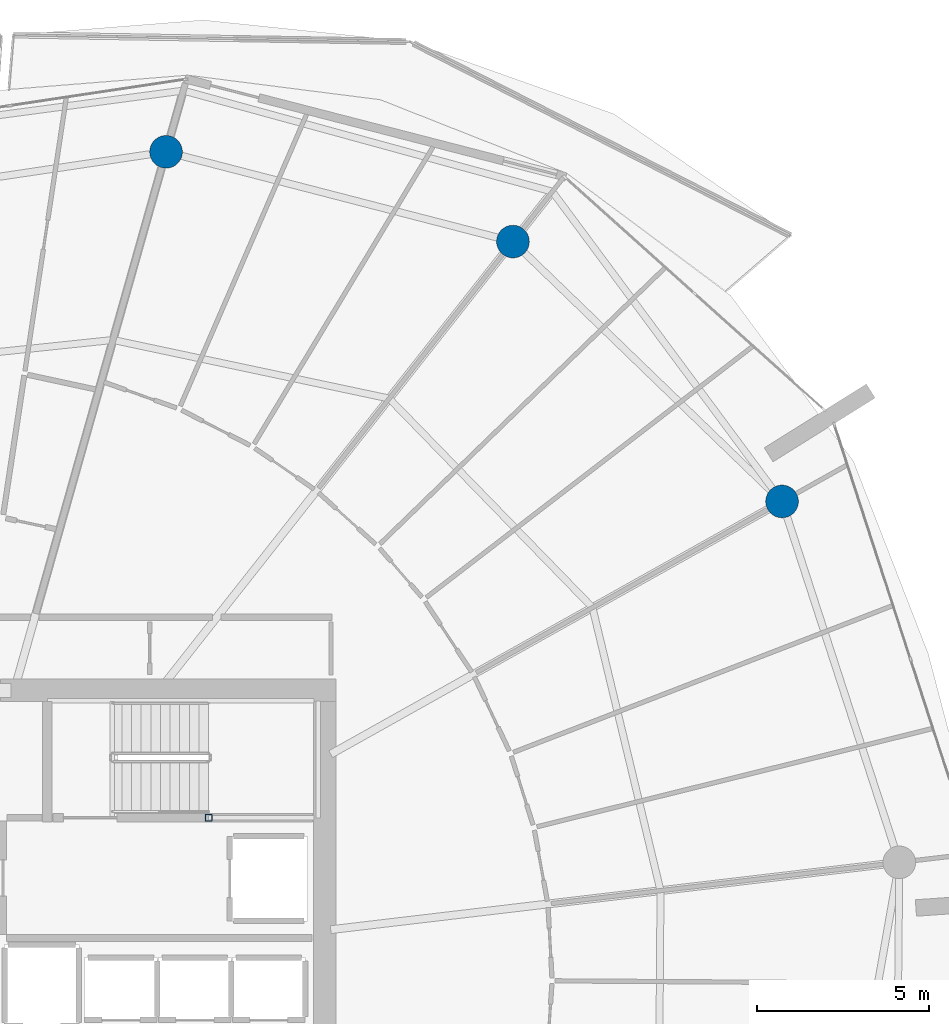
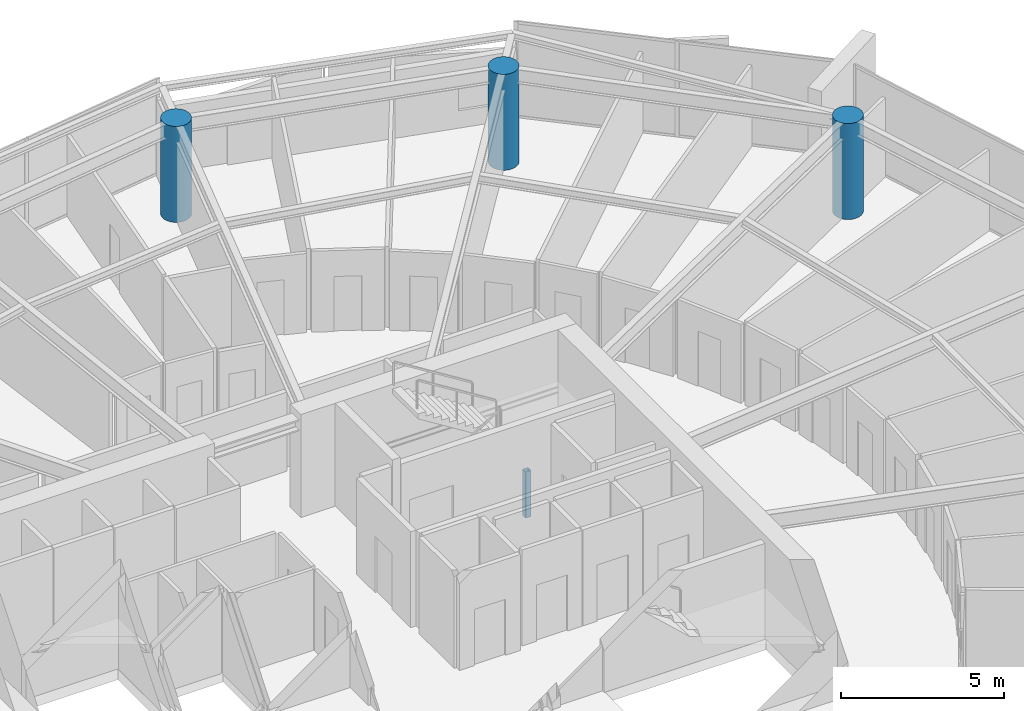
# One storey, part 5 of 30: 4 columns.
"""IFC4 building model written with IfcOpenShell, lengths in metres."""

from ifc_helpers import new_model, si_unit, direction, frame, origin, origin_2d, place, context, subcontext, project, spatial, hollow_rectangle, circle, extrude, material, material_profile, profile_set, type_object, element, save


model = new_model("IFC4")

# Units and contexts
model_context = context("Model", 3, precision=1e-05, world=origin(), true_north=direction((0.0, 1.0)))
body_context = subcontext(model_context, "Body", "Model", "MODEL_VIEW")
ifc_project = project(units=[si_unit("LENGTHUNIT", "METRE"), si_unit("AREAUNIT", "SQUARE_METRE"), si_unit("VOLUMEUNIT", "CUBIC_METRE"), si_unit("PLANEANGLEUNIT", "RADIAN"), si_unit("MASSUNIT", "GRAM", prefix="KILO")], contexts=[model_context])

# Site, building, storey
site_placement = place(None, origin())
site = spatial("IfcSite", under=ifc_project, at=site_placement, CompositionType="ELEMENT")
building_placement = place(site_placement, origin())
building = spatial("IfcBuilding", under=site, at=building_placement, Name="Kazma Halo Residences", CompositionType="ELEMENT")
storey_placement = place(building_placement, frame((0.0, 0.0, 236.699951171875)))
storey = spatial("IfcBuildingStorey", under=building, at=storey_placement, Name="L59", CompositionType="ELEMENT", Elevation=236.699951171875)

# Columns
ifc_material_1 = material(Name="Steel S355", Category="steel")
ifc_material_profile_1 = material_profile(ifc_material_1, hollow_rectangle(XDim=0.199951171875, YDim=0.199951171875, WallThickness=0.010009765625, InnerFilletRadius=0.010009765625, OuterFilletRadius=0.02001953125, at=origin_2d()), Name="SHS200x200x10")
ifc_profile_set_1 = profile_set([ifc_material_profile_1], Name="Steel S355")
column_type_1 = type_object("IfcColumnType", Name="COL-LP-SHS200", PredefinedType="COLUMN", material=ifc_profile_set_1)
column_placement = place(storey_placement, frame((56.0, 46.6201171875, 0.0), z_axis=(0.0, 0.0, 1.0), x_axis=(1.0, 0.0, 0.0)))
element("IfcColumn", 1, at=column_placement, inside=storey, type_object=column_type_1, Name="L59 ST-02 landing pilaster 1", PredefinedType="COLUMN", context=body_context, shape_type="SweptSolid", body=[
    extrude(hollow_rectangle(XDim=0.199951171875, YDim=0.199951171875, WallThickness=0.010009765625, InnerFilletRadius=0.010009765625, OuterFilletRadius=0.02001953125, at=origin_2d()), origin(), (0.0, 0.0, 1.0), 1.719970703125),
])
ifc_material_2 = material(Name="Concrete C60/75", Category="concrete")
ifc_material_profile_2 = material_profile(ifc_material_2, circle(Radius=0.47509765625, at=origin_2d()), Name="CIRC950")
ifc_profile_set_2 = profile_set([ifc_material_profile_2], Name="Concrete C60/75")
column_type_2 = type_object("IfcColumnType", Name="COL-PERIM-950", PredefinedType="COLUMN", material=ifc_profile_set_2)
for number, where, z_axis, x_axis, name in (
    (2, (72.67041015625, 55.81591796875, 0.0), (0.0, 0.0, 1.0), (1.0, 0.0, 0.0), "L59 perimeter ring column P01"),
    (3, (64.84716796875, 63.37060546875, 0.0), (0.0, 0.0, 1.0), (1.0, 0.0, 0.0), "L59 perimeter ring column P02"),
    (4, (54.762939453125, 65.9794921875, 0.0), (0.0, 0.0, 1.0), (1.0, 0.0, 0.0), "L59 perimeter ring column P03"),
):
    element("IfcColumn", number, at=place(storey_placement, frame(where, z_axis=z_axis, x_axis=x_axis)), inside=storey, type_object=column_type_2, Name=name, PredefinedType="COLUMN", context=body_context, shape_type="SweptSolid", body=[
        extrude(circle(Radius=0.47509765625, at=origin_2d()), origin(), (0.0, 0.0, 1.0), 3.590087890625),
    ])

save(model, "model.ifc")
